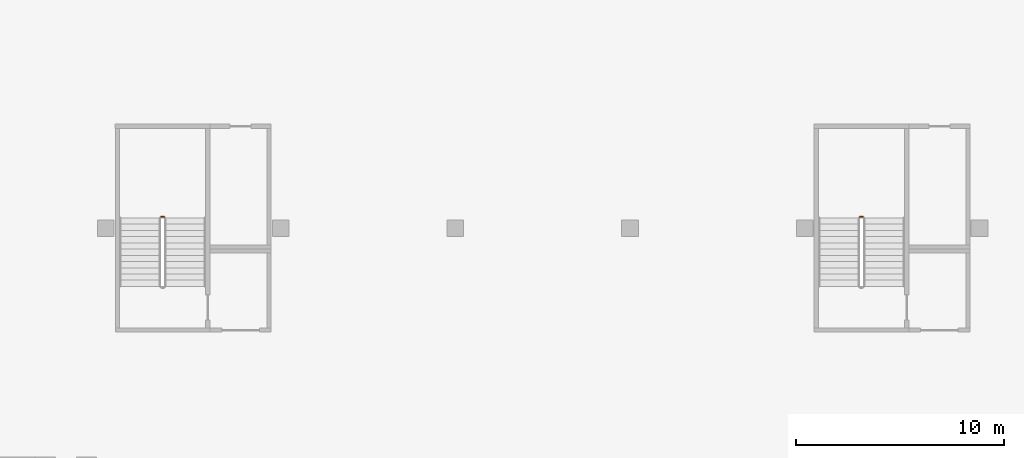
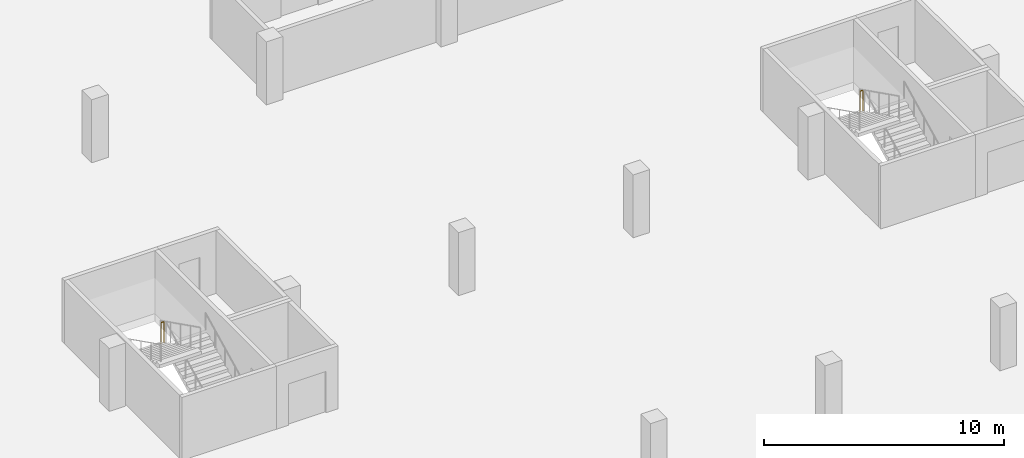
# One storey, part 24 of 37: 2 railings.
"""IFC4 building model written with IfcOpenShell, lengths in metres."""

from ifc_helpers import new_model, si_unit, direction, frame, origin, origin_2d, place, context, subcontext, project, spatial, circle, extrude, material, type_object, element, save


model = new_model("IFC4")

# Units and contexts
model_context = context("Model", 3, precision=1e-05, world=origin(), true_north=direction((0.0, 1.0)))
body_context = subcontext(model_context, "Body", "Model", "MODEL_VIEW")
ifc_project = project(units=[si_unit("LENGTHUNIT", "METRE"), si_unit("AREAUNIT", "SQUARE_METRE"), si_unit("VOLUMEUNIT", "CUBIC_METRE"), si_unit("PLANEANGLEUNIT", "RADIAN"), si_unit("MASSUNIT", "GRAM", prefix="KILO")], contexts=[model_context])

# Site, building, storey
site_placement = place(None, origin())
site = spatial("IfcSite", under=ifc_project, at=site_placement, CompositionType="ELEMENT")
building_placement = place(site_placement, origin())
building = spatial("IfcBuilding", under=site, at=building_placement, Name="Tamra Quay Hotel Tower", CompositionType="ELEMENT")
storey_placement = place(building_placement, frame((0.0, 0.0, -7.199951171875)))
storey = spatial("IfcBuildingStorey", under=building, at=storey_placement, Name="B2", CompositionType="ELEMENT", Elevation=-7.199951171875)

# Railings
ifc_material = material(Name="Basement stair guard 1100")
railing_type = type_object("IfcRailingType", Name="Basement stair guard 1100", PredefinedType="GUARDRAIL", material=ifc_material)
railing_1_placement = place(storey_placement, frame((-52.699951171875, -47.449951171875, 1.800048828125)))
element("IfcRailing", 1, at=railing_1_placement, inside=storey, type_object=railing_type, Name="BSG", PredefinedType="GUARDRAIL", context=body_context, shape_type="SweptSolid", body=[
    extrude(circle(Radius=0.02392578125, at=origin_2d()), frame((0.0, 0.0, 1.076171875), z_axis=(-1.0, 0.0, 0.0), x_axis=(0.0, -1.0, 0.0)), (0.0, 0.0, 1.0), 0.150146484375),
    extrude(circle(Radius=0.02099609375, at=origin_2d()), origin(), (0.0, 0.0, 1.0), 1.052001953125),
    extrude(circle(Radius=0.02099609375, at=origin_2d()), frame((-0.150146484375, 0.0, 0.0)), (0.0, 0.0, 1.0), 1.052001953125),
])
railing_2_placement = place(storey_placement, frame((-19.10009765625, -47.449951171875, 1.800048828125)))
element("IfcRailing", 2, at=railing_2_placement, inside=storey, type_object=railing_type, Name="BSG", PredefinedType="GUARDRAIL", context=body_context, shape_type="SweptSolid", body=[
    extrude(circle(Radius=0.02392578125, at=origin_2d()), frame((0.0, 0.0, 1.076171875), z_axis=(-1.0, 0.0, 0.0), x_axis=(0.0, -1.0, 0.0)), (0.0, 0.0, 1.0), 0.14990234375),
    extrude(circle(Radius=0.02099609375, at=origin_2d()), origin(), (0.0, 0.0, 1.0), 1.052001953125),
    extrude(circle(Radius=0.02099609375, at=origin_2d()), frame((-0.14990234375, 0.0, 0.0)), (0.0, 0.0, 1.0), 1.052001953125),
])

save(model, "model.ifc")
